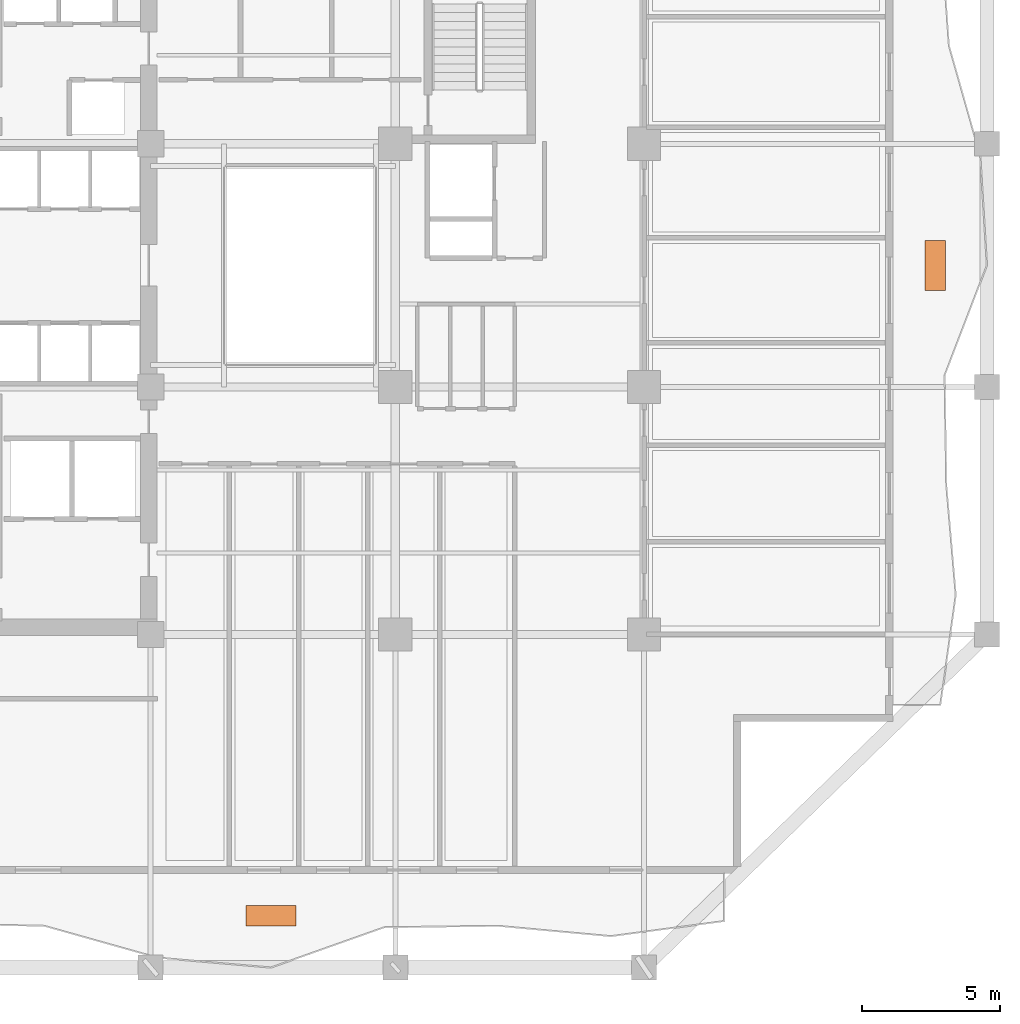
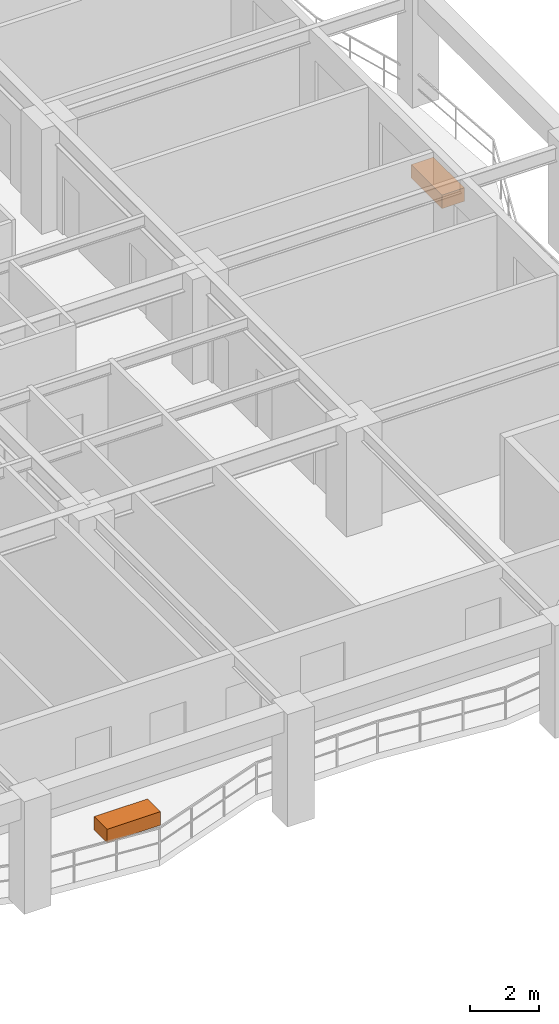
# One storey, part 13 of 13: 2 proxies.
"""IFC4 building model written with IfcOpenShell, lengths in metres."""

from ifc_helpers import new_model, si_unit, direction, frame, origin, origin_2d, place, context, subcontext, project, spatial, rectangle, extrude, material, type_object, element, save


model = new_model("IFC4")

# Units and contexts
model_context = context("Model", 3, precision=1e-05, world=origin(), true_north=direction((0.0, 1.0)))
body_context = subcontext(model_context, "Body", "Model", "MODEL_VIEW")
ifc_project = project(units=[si_unit("LENGTHUNIT", "METRE"), si_unit("AREAUNIT", "SQUARE_METRE"), si_unit("VOLUMEUNIT", "CUBIC_METRE"), si_unit("PLANEANGLEUNIT", "RADIAN"), si_unit("MASSUNIT", "GRAM", prefix="KILO")], contexts=[model_context])

# Site, building, storey
site_placement = place(None, origin())
site = spatial("IfcSite", under=ifc_project, at=site_placement, CompositionType="ELEMENT")
building_placement = place(site_placement, origin())
building = spatial("IfcBuilding", under=site, at=building_placement, Name="Kundavana Baori Tower", CompositionType="ELEMENT")
storey_placement = place(building_placement, frame((0.0, 0.0, 66.0)))
storey = spatial("IfcBuildingStorey", under=building, at=storey_placement, Name="L15", CompositionType="ELEMENT", Elevation=66.0)

# Proxies
ifc_material = material(Name="Red-Buff Dholpur Sandstone Cladding on Concrete C40/50", Category="masonry")
building_element_proxy_type = type_object("IfcBuildingElementProxyType", Name="PRX-PLANTER-1800", PredefinedType="USERDEFINED", material=ifc_material)
for number, where, z_axis, x_axis, name in (
    (1, (29.300048828125, 5.070068359375, 0.0), (0.0, 0.0, 1.0), (1.0, 0.0, 0.0), "L15 Dholpur Stone Structural Tree Planter S"),
    (2, (53.330078125, 28.60009765625, 0.0), (0.0, 0.0, 1.0), (0.0, 1.0, 0.0), "L15 Dholpur Stone Structural Tree Planter E"),
):
    element("IfcBuildingElementProxy", number, at=place(storey_placement, frame(where, z_axis=z_axis, x_axis=x_axis)), inside=storey, type_object=building_element_proxy_type, Name=name, ObjectType="PLANTER", PredefinedType="USERDEFINED", context=body_context, shape_type="SweptSolid", body=[
        extrude(rectangle(XDim=1.800048828125, YDim=0.75, at=origin_2d()), origin(), (0.0, 0.0, 1.0), 0.47998046875),
    ])

save(model, "model.ifc")
